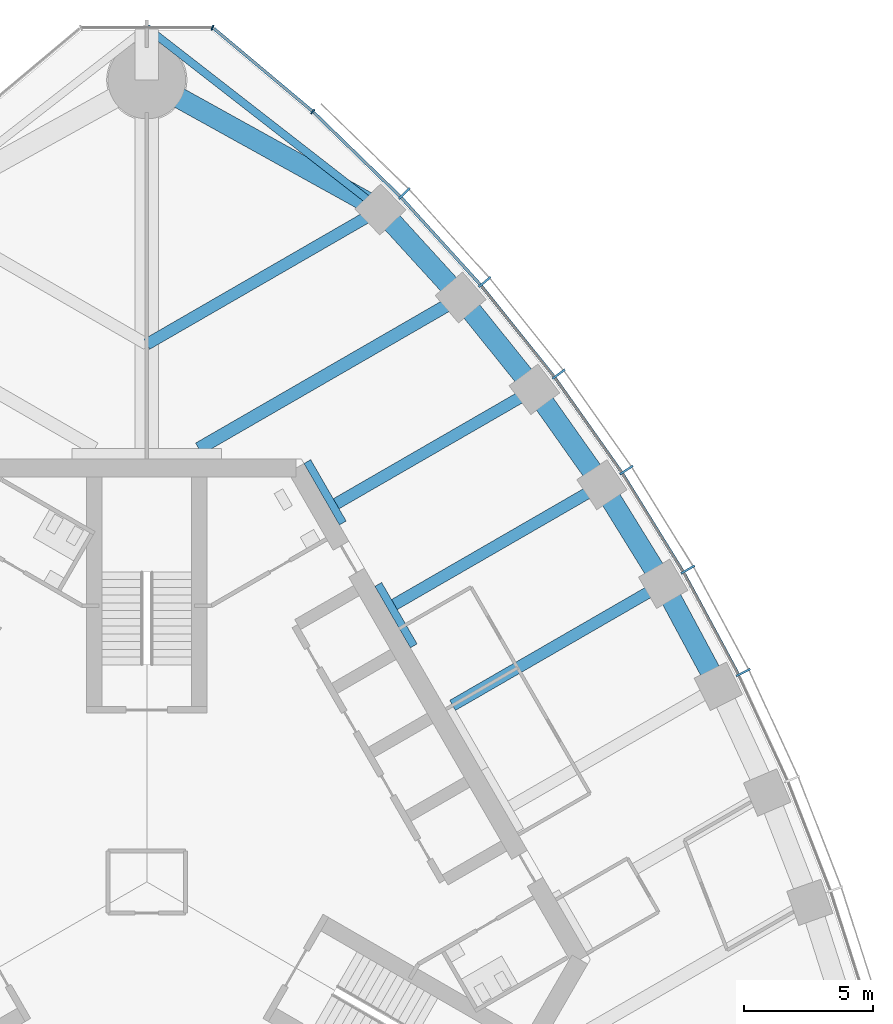
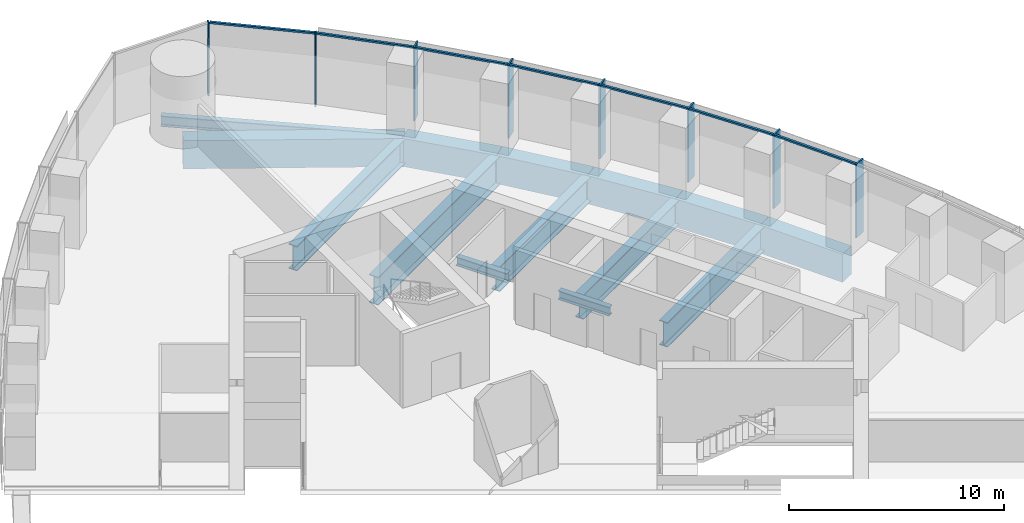
# One storey, part 6 of 14: 15 members, 14 beams, 2 elements without a shape of their own.
"""IFC4 building model written with IfcOpenShell, lengths in metres."""

from ifc_helpers import new_model, si_unit, direction, frame, origin, origin_2d, place, context, subcontext, project, spatial, rectangle, i_section, extrude, material, material_profile, profile_set, type_object, element, aggregate, save


model = new_model("IFC4")

# Units and contexts
model_context = context("Model", 3, precision=1e-05, world=origin(), true_north=direction((0.0, 1.0)))
body_context = subcontext(model_context, "Body", "Model", "MODEL_VIEW")
ifc_project = project(units=[si_unit("LENGTHUNIT", "METRE"), si_unit("AREAUNIT", "SQUARE_METRE"), si_unit("VOLUMEUNIT", "CUBIC_METRE"), si_unit("PLANEANGLEUNIT", "RADIAN"), si_unit("MASSUNIT", "GRAM", prefix="KILO")], contexts=[model_context])

# Site, building, storey
site_placement = place(None, origin())
site = spatial("IfcSite", under=ifc_project, at=site_placement, CompositionType="ELEMENT")
building_placement = place(site_placement, origin())
building = spatial("IfcBuilding", under=site, at=building_placement, Name="Trefoil Bronze Tower", CompositionType="ELEMENT")
storey_placement = place(building_placement, frame((0.0, 0.0, 280.5)))
storey = spatial("IfcBuildingStorey", under=building, at=storey_placement, Name="L64", CompositionType="ELEMENT", Elevation=280.5)

# Curtain wall, members
ifc_material_1 = material(Name="Tinted solar-control glass", Category="glass")
curtain_wall_type_1 = type_object("IfcCurtainWallType", Name="Bronze office curtain wall", PredefinedType="USERDEFINED", material=ifc_material_1)
curtain_wall_1_placement = place(storey_placement, origin())
curtain_wall_1 = element("IfcCurtainWall", 1, at=curtain_wall_1_placement, inside=storey, type_object=curtain_wall_type_1, Name="CW-A L64 F2", ObjectType="CURTAIN WALL", PredefinedType="USERDEFINED")
ifc_material_2 = material(Name="Bronze-finish aluminium", Category="aluminium")
ifc_material_profile_1 = material_profile(ifc_material_2, rectangle(XDim=0.60009765625, YDim=0.080078125, at=origin_2d()), Name="CW-A mullion")
ifc_profile_set_1 = profile_set([ifc_material_profile_1], Name="Bronze-finish aluminium")
member_type_1 = type_object("IfcMemberType", Name="Bronze office curtain wall mullion", PredefinedType="MULLION", material=ifc_profile_set_1)
member_1_placement = place(storey_placement, frame((23.056396484375, 8.094482421875, 0.0), z_axis=(0.0, 0.0, 1.0), x_axis=(-0.894713198289, -0.44664112306, 0.0)))
member_1 = element("IfcMember", 2, at=member_1_placement, type_object=member_type_1, Name="CW-A L64 F2 mullion 5", PredefinedType="MULLION", context=body_context, shape_type="SweptSolid", body=[
    extrude(rectangle(XDim=0.60009765625, YDim=0.080078125, at=origin_2d()), origin(), (0.0, 0.0, 1.0), 4.179931640625),
])
member_2_placement = place(storey_placement, frame((20.916015625, 12.07568359375, 0.0), z_axis=(0.0, 0.0, 1.0), x_axis=(-0.866025403784, -0.5, 0.0)))
member_2 = element("IfcMember", 3, at=member_2_placement, type_object=member_type_1, Name="CW-A L64 F2 mullion 6", PredefinedType="MULLION", context=body_context, shape_type="SweptSolid", body=[
    extrude(rectangle(XDim=0.60009765625, YDim=0.080078125, at=origin_2d()), origin(), (0.0, 0.0, 1.0), 4.179931640625),
])
member_3_placement = place(storey_placement, frame((18.538330078125, 15.920166015625, 0.0), z_axis=(0.0, 0.0, 1.0), x_axis=(-0.834159158089, -0.551523797289, 0.0)))
member_3 = element("IfcMember", 4, at=member_3_placement, type_object=member_type_1, Name="CW-A L64 F2 mullion 7", PredefinedType="MULLION", context=body_context, shape_type="SweptSolid", body=[
    extrude(rectangle(XDim=0.60009765625, YDim=0.080078125, at=origin_2d()), origin(), (0.0, 0.0, 1.0), 4.179931640625),
])
member_4_placement = place(storey_placement, frame((15.922607421875, 19.627197265625, 0.0), z_axis=(0.0, 0.0, 1.0), x_axis=(-0.799096076136, -0.601203344222, 0.0)))
member_4 = element("IfcMember", 5, at=member_4_placement, type_object=member_type_1, Name="CW-A L64 F2 mullion 8", PredefinedType="MULLION", context=body_context, shape_type="SweptSolid", body=[
    extrude(rectangle(XDim=0.60009765625, YDim=0.080078125, at=origin_2d()), origin(), (0.0, 0.0, 1.0), 4.179931640625),
])
member_5_placement = place(storey_placement, frame((13.064453125, 23.194091796875, 0.0), z_axis=(0.0, 0.0, 1.0), x_axis=(-0.760781190165, -0.649008459646, 0.0)))
member_5 = element("IfcMember", 6, at=member_5_placement, type_object=member_type_1, Name="CW-A L64 F2 mullion 9", PredefinedType="MULLION", context=body_context, shape_type="SweptSolid", body=[
    extrude(rectangle(XDim=0.60009765625, YDim=0.080078125, at=origin_2d()), origin(), (0.0, 0.0, 1.0), 4.179931640625),
])
member_6_placement = place(storey_placement, frame((9.957275390625, 26.617431640625, 0.0), z_axis=(0.0, 0.0, 1.0), x_axis=(-0.719001349715, -0.695008675564, 0.0)))
member_6 = element("IfcMember", 7, at=member_6_placement, type_object=member_type_1, Name="CW-A L64 F2 mullion 10", PredefinedType="MULLION", context=body_context, shape_type="SweptSolid", body=[
    extrude(rectangle(XDim=0.60009765625, YDim=0.080078125, at=origin_2d()), origin(), (0.0, 0.0, 1.0), 4.179931640625),
])
ifc_material_3 = material(Name="Bronze-finish aluminium", Category="aluminium")
ifc_material_profile_2 = material_profile(ifc_material_3, rectangle(XDim=0.1201171875, YDim=0.10009765625, at=origin_2d()), Name="CW-A transom")
ifc_profile_set_2 = profile_set([ifc_material_profile_2], Name="Bronze-finish aluminium")
member_type_2 = type_object("IfcMemberType", Name="Bronze office curtain wall transom", PredefinedType="USERDEFINED", material=ifc_profile_set_2)
member_7_placement = place(storey_placement, frame((22.857177734375, 8.043212890625, 4.1298828125), z_axis=(-0.473540024981, 0.880772300167, 0.0), x_axis=(-0.880772300167, -0.473540024981, 0.0)))
member_7 = element("IfcMember", 8, at=member_7_placement, type_object=member_type_2, Name="CW-A L64 F2 transom 5", ObjectType="TRANSOM", PredefinedType="USERDEFINED", context=body_context, shape_type="SweptSolid", body=[
    extrude(rectangle(XDim=0.1201171875, YDim=0.10009765625, at=origin_2d()), origin(), (0.0, 0.0, 1.0), 4.422119140625),
])
member_8_placement = place(storey_placement, frame((20.72021484375, 12.012451171875, 4.1298828125), z_axis=(-0.525978235299, 0.850498028212, 0.0), x_axis=(-0.850498028212, -0.525978235299, 0.0)))
member_8 = element("IfcMember", 9, at=member_8_placement, type_object=member_type_2, Name="CW-A L64 F2 transom 6", ObjectType="TRANSOM", PredefinedType="USERDEFINED", context=body_context, shape_type="SweptSolid", body=[
    extrude(rectangle(XDim=0.1201171875, YDim=0.10009765625, at=origin_2d()), origin(), (0.0, 0.0, 1.0), 4.422119140625),
])
member_9_placement = place(storey_placement, frame((18.3466796875, 15.84521484375, 4.1298828125), z_axis=(-0.5765665752, 0.817050172488, 0.0), x_axis=(-0.817050172488, -0.5765665752, 0.0)))
member_9 = element("IfcMember", 10, at=member_9_placement, type_object=member_type_2, Name="CW-A L64 F2 transom 7", ObjectType="TRANSOM", PredefinedType="USERDEFINED", context=body_context, shape_type="SweptSolid", body=[
    extrude(rectangle(XDim=0.1201171875, YDim=0.10009765625, at=origin_2d()), origin(), (0.0, 0.0, 1.0), 4.4384765625),
])
member_10_placement = place(storey_placement, frame((15.73583984375, 19.54052734375, 4.1298828125), z_axis=(-0.625300648488, 0.780383943325, 0.0), x_axis=(-0.780383943325, -0.625300648488, 0.0)))
member_10 = element("IfcMember", 11, at=member_10_placement, type_object=member_type_2, Name="CW-A L64 F2 transom 8", ObjectType="TRANSOM", PredefinedType="USERDEFINED", context=body_context, shape_type="SweptSolid", body=[
    extrude(rectangle(XDim=0.1201171875, YDim=0.10009765625, at=origin_2d()), origin(), (0.0, 0.0, 1.0), 4.472412109375),
])
member_11_placement = place(storey_placement, frame((12.88330078125, 23.09619140625, 4.1298828125), z_axis=(-0.672068269674, 0.740489190264, 0.0), x_axis=(-0.740489190264, -0.672068269674, 0.0)))
member_11 = element("IfcMember", 12, at=member_11_placement, type_object=member_type_2, Name="CW-A L64 F2 transom 9", ObjectType="TRANSOM", PredefinedType="USERDEFINED", context=body_context, shape_type="SweptSolid", body=[
    extrude(rectangle(XDim=0.1201171875, YDim=0.10009765625, at=origin_2d()), origin(), (0.0, 0.0, 1.0), 4.5244140625),
])
member_12_placement = place(storey_placement, frame((9.782470703125, 26.508544921875, 4.1298828125), z_axis=(-0.717224617883, 0.696842053484, 0.0), x_axis=(-0.696842053484, -0.717224617883, 0.0)))
member_12 = element("IfcMember", 13, at=member_12_placement, type_object=member_type_2, Name="CW-A L64 F2 transom 10", ObjectType="TRANSOM", PredefinedType="USERDEFINED", context=body_context, shape_type="SweptSolid", body=[
    extrude(rectangle(XDim=0.1201171875, YDim=0.10009765625, at=origin_2d()), origin(), (0.0, 0.0, 1.0), 4.6474609375),
])
aggregate(curtain_wall_1, [member_1, member_2, member_3, member_4, member_5, member_6, member_7, member_8, member_9, member_10, member_11, member_12])

ifc_material_4 = material(Name="Tinted solar-control glass", Category="glass")
curtain_wall_type_2 = type_object("IfcCurtainWallType", Name="Bronze rounded corner curtain wall", PredefinedType="USERDEFINED", material=ifc_material_4)
curtain_wall_2_placement = place(storey_placement, origin())
curtain_wall_2 = element("IfcCurtainWall", 14, at=curtain_wall_2_placement, inside=storey, type_object=curtain_wall_type_2, Name="CW-B L64 K2", ObjectType="CURTAIN WALL", PredefinedType="USERDEFINED")
ifc_material_5 = material(Name="Bronze-finish aluminium", Category="aluminium")
ifc_material_profile_3 = material_profile(ifc_material_5, rectangle(XDim=0.199951171875, YDim=0.06005859375, at=origin_2d()), Name="CW-B mullion")
ifc_profile_set_3 = profile_set([ifc_material_profile_3], Name="Bronze-finish aluminium")
member_type_3 = type_object("IfcMemberType", Name="Bronze rounded corner curtain wall mullion", PredefinedType="MULLION", material=ifc_profile_set_3)
member_13_placement = place(storey_placement, frame((6.4150390625, 29.77978515625, 0.0), z_axis=(0.0, 0.0, 1.0), x_axis=(-0.642787609687, -0.766044443119, 0.0)))
member_13 = element("IfcMember", 15, at=member_13_placement, type_object=member_type_3, Name="CW-B L64 K2 mullion 1", PredefinedType="MULLION", context=body_context, shape_type="SweptSolid", body=[
    extrude(rectangle(XDim=0.199951171875, YDim=0.06005859375, at=origin_2d()), origin(), (0.0, 0.0, 1.0), 4.179931640625),
])
member_14_placement = place(storey_placement, frame((2.542236328125, 33.021484375, 0.0), z_axis=(0.0, 0.0, 1.0), x_axis=(-0.342020143326, -0.939692620786, 0.0)))
member_14 = element("IfcMember", 16, at=member_14_placement, type_object=member_type_3, Name="CW-B L64 K2 mullion 2", PredefinedType="MULLION", context=body_context, shape_type="SweptSolid", body=[
    extrude(rectangle(XDim=0.199951171875, YDim=0.06005859375, at=origin_2d()), origin(), (0.0, 0.0, 1.0), 4.179931640625),
])
ifc_material_6 = material(Name="Bronze-finish aluminium", Category="aluminium")
ifc_material_profile_4 = material_profile(ifc_material_6, rectangle(XDim=0.1201171875, YDim=0.10009765625, at=origin_2d()), Name="CW-B transom")
ifc_profile_set_4 = profile_set([ifc_material_profile_4], Name="Bronze-finish aluminium")
member_type_4 = type_object("IfcMemberType", Name="Bronze rounded corner curtain wall transom", PredefinedType="USERDEFINED", material=ifc_profile_set_4)
member_15_placement = place(storey_placement, frame((6.39208984375, 29.799072265625, 4.1298828125), z_axis=(-0.766040522511, 0.642792282056, 0.0), x_axis=(-0.642792282056, -0.766040522511, 0.0)))
member_15 = element("IfcMember", 17, at=member_15_placement, type_object=member_type_4, Name="CW-B L64 K2 transom 1", ObjectType="TRANSOM", PredefinedType="USERDEFINED", context=body_context, shape_type="SweptSolid", body=[
    extrude(rectangle(XDim=0.1201171875, YDim=0.10009765625, at=origin_2d()), origin(), (0.0, 0.0, 1.0), 4.9560546875),
])
aggregate(curtain_wall_2, [member_13, member_14, member_15])

# Beams
ifc_material_7 = material(Name="Steel C355", Category="steel")
ifc_material_profile_5 = material_profile(ifc_material_7, i_section(OverallWidth=0.300048828125, OverallDepth=0.5, WebThickness=0.014404296875, FlangeThickness=0.028076171875, FilletRadius=0.027099609375, at=origin_2d()), Name="HEB 500")
ifc_profile_set_5 = profile_set([ifc_material_profile_5], Name="Steel C355")
beam_type_1 = type_object("IfcBeamType", Name="Core seat beam HEB 500", PredefinedType="BEAM", material=ifc_profile_set_5)
for number, where, z_axis, x_axis, name in (
    (18, (10.320068359375, 9.125, -0.449951171875), (-0.499969057507, 0.866043267704, 0.0), (-0.866043267704, -0.499969057507, 0.0), "Core seat beam F2/+1 L64"),
    (19, (7.57763671875, 13.875, -0.449951171875), (-0.499969057507, 0.866043267704, 0.0), (-0.866043267704, -0.499969057507, 0.0), "Core seat beam F2/+2 L64"),
):
    element("IfcBeam", number, at=place(storey_placement, frame(where, z_axis=z_axis, x_axis=x_axis)), inside=storey, type_object=beam_type_1, Name=name, PredefinedType="BEAM", context=body_context, shape_type="SweptSolid", body=[
        extrude(i_section(OverallWidth=0.300048828125, OverallDepth=0.5, WebThickness=0.014404296875, FlangeThickness=0.028076171875, FilletRadius=0.027099609375, at=origin_2d()), origin(), (0.0, 0.0, 1.0), 2.742431640625),
    ])
ifc_material_8 = material(Name="Steel C355", Category="steel")
ifc_material_profile_6 = material_profile(ifc_material_8, i_section(OverallWidth=0.300048828125, OverallDepth=0.60009765625, WebThickness=0.015380859375, FlangeThickness=0.030029296875, FilletRadius=0.027099609375, at=origin_2d()), Name="HEB 600")
ifc_profile_set_6 = profile_set([ifc_material_profile_6], Name="Steel C355")
beam_type_2 = type_object("IfcBeamType", Name="Corner edge beam HEB 600", PredefinedType="BEAM", material=ifc_profile_set_6)
beam_1_placement = place(storey_placement, frame((9.02734375, 25.99658203125, -0.5), z_axis=(-0.789270604977, 0.614045529354, 0.0), x_axis=(-0.614045529354, -0.789270604977, 0.0)))
element("IfcBeam", 20, at=beam_1_placement, inside=storey, type_object=beam_type_2, Name="Corner edge beam F2A L64", PredefinedType="BEAM", context=body_context, shape_type="SweptSolid", body=[
    extrude(i_section(OverallWidth=0.300048828125, OverallDepth=0.60009765625, WebThickness=0.015380859375, FlangeThickness=0.030029296875, FilletRadius=0.027099609375, at=origin_2d()), origin(), (0.0, 0.0, 1.0), 11.4375),
])
ifc_material_9 = material(Name="Concrete B80", Category="concrete")
ifc_material_profile_7 = material_profile(ifc_material_9, rectangle(XDim=0.800048828125, YDim=1.60009765625, at=origin_2d()), Name="RC 800x1600")
ifc_profile_set_7 = profile_set([ifc_material_profile_7], Name="Concrete B80")
beam_type_3 = type_object("IfcBeamType", Name="End spandrel beam RC 800x1600", PredefinedType="SPANDREL", material=ifc_profile_set_7)
beam_2_placement = place(storey_placement, frame((9.02734375, 25.99658203125, -1.0), z_axis=(-0.874641085074, 0.484771051426, 0.0), x_axis=(-0.484771051426, -0.874641085074, 0.0)))
element("IfcBeam", 21, at=beam_2_placement, inside=storey, type_object=beam_type_3, Name="Spandrel F2.10 L64", PredefinedType="SPANDREL", context=body_context, shape_type="SweptSolid", body=[
    extrude(rectangle(XDim=0.800048828125, YDim=1.60009765625, at=origin_2d()), origin(), (0.0, 0.0, 1.0), 10.3212890625),
])
ifc_material_10 = material(Name="Steel C355", Category="steel")
ifc_material_profile_8 = material_profile(ifc_material_10, i_section(OverallWidth=0.449951171875, OverallDepth=1.39990234375, WebThickness=0.02294921875, FlangeThickness=0.044921875, FilletRadius=0.011962890625, at=origin_2d()), Name="WPG 1400")
ifc_profile_set_8 = profile_set([ifc_material_profile_8], Name="Steel C355")
beam_type_4 = type_object("IfcBeamType", Name="Floor beam WPG 1400", PredefinedType="BEAM", material=ifc_profile_set_8)
beam_3_placement = place(storey_placement, frame((19.96337890625, 11.52587890625, -0.89990234375), z_axis=(-0.866021259968, -0.500007177232, 0.0), x_axis=(0.500007177232, -0.866021259968, 0.0)))
element("IfcBeam", 22, at=beam_3_placement, inside=storey, type_object=beam_type_4, Name="Floor beam F2/+0 L64", PredefinedType="BEAM", context=body_context, shape_type="SweptSolid", body=[
    extrude(i_section(OverallWidth=0.449951171875, OverallDepth=1.39990234375, WebThickness=0.02294921875, FlangeThickness=0.044921875, FilletRadius=0.011962890625, at=origin_2d()), origin(), (0.0, 0.0, 1.0), 9.401611328125),
])
beam_4_placement = place(storey_placement, frame((17.593994140625, 15.35400390625, -0.89990234375), z_axis=(-0.866028909405, -0.499993928037, 0.0), x_axis=(0.499993928037, -0.866028909405, 0.0)))
element("IfcBeam", 23, at=beam_4_placement, inside=storey, type_object=beam_type_4, Name="Floor beam F2/+1 L64", PredefinedType="BEAM", context=body_context, shape_type="SweptSolid", body=[
    extrude(i_section(OverallWidth=0.449951171875, OverallDepth=1.39990234375, WebThickness=0.02294921875, FlangeThickness=0.044921875, FilletRadius=0.011962890625, at=origin_2d()), origin(), (0.0, 0.0, 1.0), 9.263671875),
])
beam_5_placement = place(storey_placement, frame((14.98486328125, 19.043701171875, -0.89990234375), z_axis=(-0.866025701847, -0.499999483739, 0.0), x_axis=(0.499999483739, -0.866025701847, 0.0)))
element("IfcBeam", 24, at=beam_5_placement, inside=storey, type_object=beam_type_4, Name="Floor beam F2/+2 L64", PredefinedType="BEAM", context=body_context, shape_type="SweptSolid", body=[
    extrude(i_section(OverallWidth=0.449951171875, OverallDepth=1.39990234375, WebThickness=0.02294921875, FlangeThickness=0.044921875, FilletRadius=0.011962890625, at=origin_2d()), origin(), (0.0, 0.0, 1.0), 8.84912109375),
])
beam_6_placement = place(storey_placement, frame((9.02734375, 25.99658203125, -0.89990234375), z_axis=(-0.866026453994, -0.499998180979, 0.0), x_axis=(0.499998180979, -0.866026453994, 0.0)))
element("IfcBeam", 25, at=beam_6_placement, inside=storey, type_object=beam_type_4, Name="Floor beam F2/+4 L64", PredefinedType="BEAM", context=body_context, shape_type="SweptSolid", body=[
    extrude(i_section(OverallWidth=0.449951171875, OverallDepth=1.39990234375, WebThickness=0.02294921875, FlangeThickness=0.044921875, FilletRadius=0.011962890625, at=origin_2d()), origin(), (0.0, 0.0, 1.0), 10.423828125),
])
ifc_material_11 = material(Name="Steel C355", Category="steel")
ifc_material_profile_9 = material_profile(ifc_material_11, i_section(OverallWidth=0.5, OverallDepth=1.60009765625, WebThickness=0.02587890625, FlangeThickness=0.050048828125, FilletRadius=0.011962890625, at=origin_2d()), Name="WPG 1600")
ifc_profile_set_9 = profile_set([ifc_material_profile_9], Name="Steel C355")
beam_type_5 = type_object("IfcBeamType", Name="Floor beam WPG 1600", PredefinedType="BEAM", material=ifc_profile_set_9)
beam_7_placement = place(storey_placement, frame((12.131591796875, 22.5927734375, -1.0), z_axis=(-0.866017882563, -0.500013026912, 0.0), x_axis=(0.500013026912, -0.866017882563, 0.0)))
element("IfcBeam", 26, at=beam_7_placement, inside=storey, type_object=beam_type_5, Name="Floor beam F2/+3 L64", PredefinedType="BEAM", context=body_context, shape_type="SweptSolid", body=[
    extrude(i_section(OverallWidth=0.5, OverallDepth=1.60009765625, WebThickness=0.02587890625, FlangeThickness=0.050048828125, FilletRadius=0.011962890625, at=origin_2d()), origin(), (0.0, 0.0, 1.0), 11.685302734375),
])
ifc_material_12 = material(Name="Concrete B80", Category="concrete")
ifc_material_profile_10 = material_profile(ifc_material_12, rectangle(XDim=0.800048828125, YDim=1.60009765625, at=origin_2d()), Name="RC 800x1600")
ifc_profile_set_10 = profile_set([ifc_material_profile_10], Name="Concrete B80")
beam_type_6 = type_object("IfcBeamType", Name="Spandrel beam RC 800x1600", PredefinedType="SPANDREL", material=ifc_profile_set_10)
beam_8_placement = place(storey_placement, frame((22.093994140625, 7.559814453125, -1.0), z_axis=(-0.473245885676, 0.880930378458, 0.0), x_axis=(-0.880930378458, -0.473245885676, 0.0)))
element("IfcBeam", 27, at=beam_8_placement, inside=storey, type_object=beam_type_6, Name="Spandrel F2.5 L64", PredefinedType="SPANDREL", context=body_context, shape_type="SweptSolid", body=[
    extrude(rectangle(XDim=0.800048828125, YDim=1.60009765625, at=origin_2d()), origin(), (0.0, 0.0, 1.0), 4.502197265625),
])
beam_9_placement = place(storey_placement, frame((19.96337890625, 11.52587890625, -1.0), z_axis=(-0.526289271956, 0.850305593433, 0.0), x_axis=(-0.850305593433, -0.526289271956, 0.0)))
element("IfcBeam", 28, at=beam_9_placement, inside=storey, type_object=beam_type_6, Name="Spandrel F2.6 L64", PredefinedType="SPANDREL", context=body_context, shape_type="SweptSolid", body=[
    extrude(rectangle(XDim=0.800048828125, YDim=1.60009765625, at=origin_2d()), origin(), (0.0, 0.0, 1.0), 4.501953125),
])
beam_10_placement = place(storey_placement, frame((17.593994140625, 15.35400390625, -1.0), z_axis=(-0.577368105169, 0.816483968693, 0.0), x_axis=(-0.816483968693, -0.577368105169, 0.0)))
element("IfcBeam", 29, at=beam_10_placement, inside=storey, type_object=beam_type_6, Name="Spandrel F2.7 L64", PredefinedType="SPANDREL", context=body_context, shape_type="SweptSolid", body=[
    extrude(rectangle(XDim=0.800048828125, YDim=1.60009765625, at=origin_2d()), origin(), (0.0, 0.0, 1.0), 4.51904296875),
])
beam_11_placement = place(storey_placement, frame((14.98486328125, 19.043701171875, -1.0), z_axis=(-0.626569682592, 0.779365403939, 0.0), x_axis=(-0.779365403939, -0.626569682592, 0.0)))
element("IfcBeam", 30, at=beam_11_placement, inside=storey, type_object=beam_type_6, Name="Spandrel F2.8 L64", PredefinedType="SPANDREL", context=body_context, shape_type="SweptSolid", body=[
    extrude(rectangle(XDim=0.800048828125, YDim=1.60009765625, at=origin_2d()), origin(), (0.0, 0.0, 1.0), 4.5537109375),
])
beam_12_placement = place(storey_placement, frame((12.131591796875, 22.5927734375, -1.0), z_axis=(-0.673845775847, 0.738872025707, 0.0), x_axis=(-0.738872025707, -0.673845775847, 0.0)))
element("IfcBeam", 31, at=beam_12_placement, inside=storey, type_object=beam_type_6, Name="Spandrel F2.9 L64", PredefinedType="SPANDREL", context=body_context, shape_type="SweptSolid", body=[
    extrude(rectangle(XDim=0.800048828125, YDim=1.60009765625, at=origin_2d()), origin(), (0.0, 0.0, 1.0), 4.606689453125),
])

save(model, "model.ifc")
